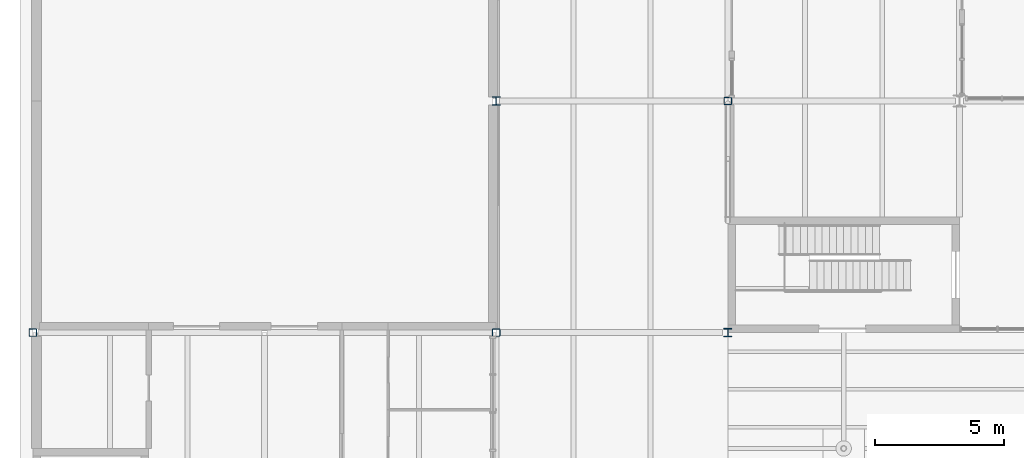
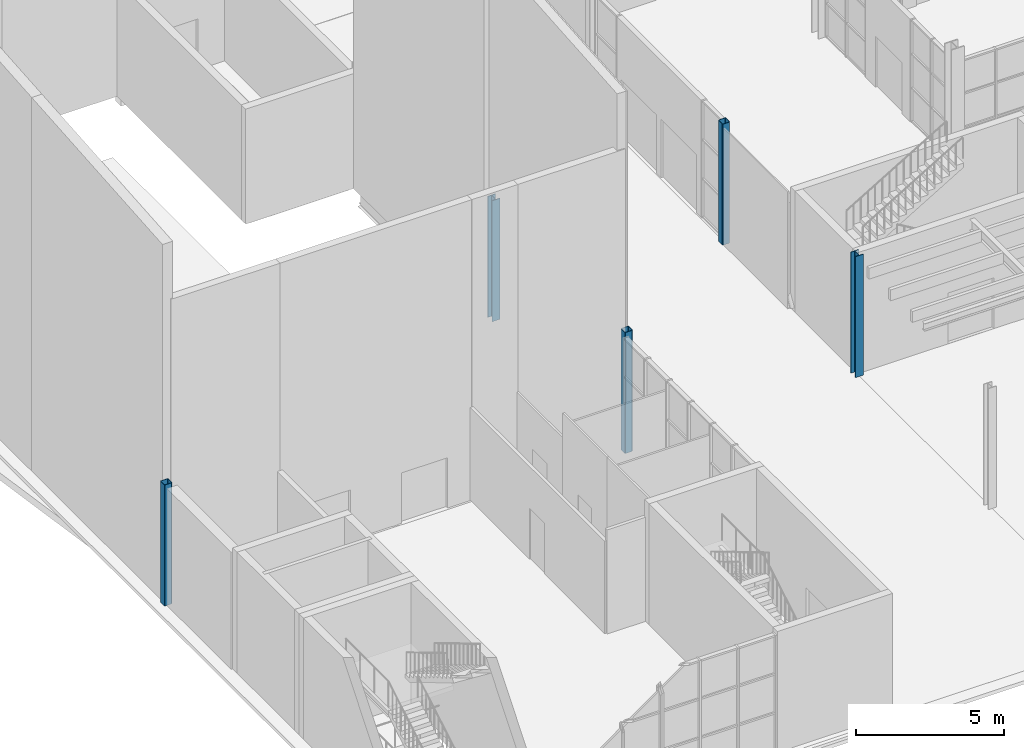
# One storey, part 3 of 63: 5 columns.
"""IFC4 building model written with IfcOpenShell, lengths in metres."""

import ifcopenshell
import ifcopenshell.guid

model = None  # the IFC model being written
_history = None  # IfcOwnerHistory: only IFC2X3 demands one
_inside = {}  # id of a spatial element -> (the spatial element, [elements in it])
_under = {}  # id of a project, library or spatial element -> (it, [spatial elements below it])
_declared = {}  # id of a project -> (the project, [libraries it declares])
_typed = {}  # id of a type object -> (the type object, [elements of that type])
_made_of = {}  # id of a material, layer set ... -> (it, [elements and type objects made of it])


def new_model(schema):
    """Start an empty IFC model of exactly this schema.

    Asked for "IFC4X3", IfcOpenShell would pick the latest addendum, in which some entities
    have other attributes; the version numbers below select the first issue.
    IFC2X3 requires an IfcOwnerHistory on every rooted entity: one is made here for all.
    """
    global model, _history
    if schema == "IFC4X3":
        model = ifcopenshell.file(schema_version=(4, 3, 0, 0))
    else:
        model = ifcopenshell.file(schema=schema)
    _inside.clear()
    _under.clear()
    _declared.clear()
    _typed.clear()
    _made_of.clear()
    _history = None
    if model.schema == "IFC2X3":
        org = make("IfcOrganization", Name="unknown")
        user = make(
            "IfcPersonAndOrganization",
            ThePerson=make("IfcPerson", FamilyName="unknown"),
            TheOrganization=org,
        )
        app = make(
            "IfcApplication",
            ApplicationDeveloper=org,
            Version="unknown",
            ApplicationFullName="unknown",
            ApplicationIdentifier="unknown",
        )
        _history = make(
            "IfcOwnerHistory",
            OwningUser=user,
            OwningApplication=app,
            ChangeAction="ADDED",
            CreationDate=0,
        )
    return model


def make(cls, **values):
    """One entity of the class cls with the attributes given. An attribute that is None is left unset."""
    return model.create_entity(
        cls, **{name: value for name, value in values.items() if value is not None}
    )


def rooted(cls, **values):
    """An entity with a GlobalId (a new one), such as an element, a storey or a relation."""
    return make(cls, GlobalId=ifcopenshell.guid.new(), OwnerHistory=_history, **values)


def si_unit(unit_type, name, prefix=None):
    """IfcSIUnit, for example si_unit("LENGTHUNIT", "METRE", prefix="MILLI")."""
    return make("IfcSIUnit", UnitType=unit_type, Prefix=prefix, Name=name)


def assignment(units):
    """IfcUnitAssignment: the units of a project."""
    return None if units is None else make("IfcUnitAssignment", Units=units)


def point(xyz):
    """IfcCartesianPoint."""
    return None if xyz is None else make("IfcCartesianPoint", Coordinates=xyz)


def direction(xyz):
    """IfcDirection."""
    return None if xyz is None else make("IfcDirection", DirectionRatios=xyz)


def frame(location, z_axis=None, x_axis=None):
    """IfcAxis2Placement3D, a coordinate frame: its origin and axes. An axis left out is left unset."""
    return make(
        "IfcAxis2Placement3D",
        Location=point(location),
        Axis=direction(z_axis),
        RefDirection=direction(x_axis),
    )


def frame_2d(location, x_axis=None):
    """IfcAxis2Placement2D, a coordinate frame in the plane: its origin and x axis."""
    return make(
        "IfcAxis2Placement2D", Location=point(location), RefDirection=direction(x_axis)
    )


def origin():
    """The frame at (0, 0, 0) with its axes left unset."""
    return frame((0.0, 0.0, 0.0))


def origin_2d():
    """The frame at (0, 0) in the plane with its x axis left unset."""
    return frame_2d((0.0, 0.0))


def place(relative_to, where):
    """IfcLocalPlacement: puts the frame where relative to a parent placement (None: the world)."""
    return make(
        "IfcLocalPlacement", PlacementRelTo=relative_to, RelativePlacement=where
    )


def context(
    kind, dimensions, precision=None, world=None, true_north=None, identifier=None
):
    """IfcGeometricRepresentationContext, for example the 3D "Model" context."""
    return make(
        "IfcGeometricRepresentationContext",
        ContextIdentifier=identifier,
        ContextType=kind,
        CoordinateSpaceDimension=dimensions,
        Precision=precision,
        WorldCoordinateSystem=world,
        TrueNorth=true_north,
    )


def subcontext(parent, identifier, kind, view, scale=None):
    """IfcGeometricRepresentationSubContext, for example "Body" below "Model"."""
    return make(
        "IfcGeometricRepresentationSubContext",
        ContextIdentifier=identifier,
        ContextType=kind,
        ParentContext=parent,
        TargetScale=scale,
        TargetView=view,
    )


def project(units=None, contexts=None):
    """IfcProject with its units and contexts."""
    return rooted(
        "IfcProject",
        Name="project",
        RepresentationContexts=contexts,
        UnitsInContext=assignment(units),
    )


def spatial(cls, under=None, at=None, **own):
    """A site, building, storey or space (cls), placed at a placement, below another one or the project."""
    s = rooted(cls, ObjectPlacement=at, **own)
    if under is not None:
        _under.setdefault(under.id(), (under, []))[1].append(s)
    return s


def profile(cls, at=None, kind="AREA", **sizes):
    """A parametric profile (cls). Its sizes go by their IFC names, for example OverallWidth=200.0."""
    return make(cls, ProfileType=kind, Position=at, **sizes)


def hollow_rectangle(**sizes):
    """IfcRectangleHollowProfileDef."""
    return profile("IfcRectangleHollowProfileDef", **sizes)


def i_section(**sizes):
    """IfcIShapeProfileDef."""
    return profile("IfcIShapeProfileDef", **sizes)


def extrude(swept, where, along, depth):
    """IfcExtrudedAreaSolid: the profile swept, set in the frame where, extruded along a direction by depth."""
    return make(
        "IfcExtrudedAreaSolid",
        SweptArea=swept,
        Position=where,
        ExtrudedDirection=direction(along),
        Depth=depth,
    )


def shape(context_of_items, identifier, shape_type, items):
    """IfcShapeRepresentation: the items that make up one representation, for example the "Body"."""
    return make(
        "IfcShapeRepresentation",
        ContextOfItems=context_of_items,
        RepresentationIdentifier=identifier,
        RepresentationType=shape_type,
        Items=items,
    )


def material(Name=None, Category=None):
    """IfcMaterial."""
    return make("IfcMaterial", Name=Name, Category=Category)


def material_profile(
    of_material, cross_section, Name=None, Category=None, Priority=None
):
    """IfcMaterialProfile: a cross section and its material."""
    return make(
        "IfcMaterialProfile",
        Name=Name,
        Material=of_material,
        Profile=cross_section,
        Priority=Priority,
        Category=Category,
    )


def profile_set(profiles, Name=None, composite=None):
    """IfcMaterialProfileSet."""
    return make(
        "IfcMaterialProfileSet",
        Name=Name,
        MaterialProfiles=profiles,
        CompositeProfile=composite,
    )


def made_of(thing, what):
    """Note that an element or type object is made of a material, layer set ...; save() writes the relation."""
    if what is not None:
        _made_of.setdefault(what.id(), (what, []))[1].append(thing)
    return thing


def type_object(cls, material=None, **own):
    """A type object (cls), such as IfcWallType, which elements share."""
    return made_of(rooted(cls, **own), material)


def element(
    cls,
    number,
    at=None,
    inside=None,
    cuts=None,
    type_object=None,
    material=None,
    context=None,
    identifier="Body",
    shape_type=None,
    held_by="IfcProductDefinitionShape",
    body=None,
    shapes=None,
    **own,
):
    """One element of the class cls, such as IfcWall. Its Tag is "e" and its number.

    at: its placement. inside: the storey or other place that contains it. cuts: it is an
    opening in that element (IfcRelVoidsElement). A single representation is given by context,
    identifier, shape_type and body (its items); several are given by shapes. held_by: the class
    of the entity that holds the representations. save() writes the other relations.
    """
    e = rooted(cls, Tag="e%d" % number, ObjectPlacement=at, **own)
    if body is not None:
        shapes = [shape(context, identifier, shape_type, body)]
    if shapes is not None:
        e.Representation = make(held_by, Representations=shapes)
    if inside is not None:
        _inside.setdefault(inside.id(), (inside, []))[1].append(e)
    if cuts is not None:
        rooted(
            "IfcRelVoidsElement", RelatingBuildingElement=cuts, RelatedOpeningElement=e
        )
    if type_object is not None:
        _typed.setdefault(type_object.id(), (type_object, []))[1].append(e)
    return made_of(e, material)


def aggregate(whole, parts):
    """IfcRelAggregates: a whole, such as a stair, and the parts it consists of."""
    return rooted("IfcRelAggregates", RelatingObject=whole, RelatedObjects=parts)


def save(model, path):
    """Write the relations noted so far, then the file.

    IfcRelAggregates (storeys below a building ...), IfcRelContainedInSpatialStructure (elements
    in a storey), IfcRelDefinesByType, IfcRelAssociatesMaterial and IfcRelDeclares: one each for
    every whole, place, type object, material and project.
    """
    for whole, parts in _under.values():
        aggregate(whole, parts)
    for where, things in _inside.values():
        rooted(
            "IfcRelContainedInSpatialStructure",
            RelatedElements=things,
            RelatingStructure=where,
        )
    for kind, things in _typed.values():
        rooted("IfcRelDefinesByType", RelatedObjects=things, RelatingType=kind)
    for what, things in _made_of.values():
        rooted("IfcRelAssociatesMaterial", RelatedObjects=things, RelatingMaterial=what)
    for by, libraries in _declared.values():
        rooted("IfcRelDeclares", RelatingContext=by, RelatedDefinitions=libraries)
    model.write(path)


model = new_model("IFC4")

# Units and contexts
model_context = context("Model", 3, precision=1e-05, world=origin(), true_north=direction((0.0, 1.0)))
body_context = subcontext(model_context, "Body", "Model", "MODEL_VIEW")
ifc_project = project(units=[si_unit("LENGTHUNIT", "METRE"), si_unit("AREAUNIT", "SQUARE_METRE"), si_unit("VOLUMEUNIT", "CUBIC_METRE"), si_unit("PLANEANGLEUNIT", "RADIAN"), si_unit("MASSUNIT", "GRAM", prefix="KILO")], contexts=[model_context])

# Site, building, storey
site_placement = place(None, origin())
site = spatial("IfcSite", under=ifc_project, at=site_placement, CompositionType="ELEMENT")
building_placement = place(site_placement, origin())
building = spatial("IfcBuilding", under=site, at=building_placement, Name="Halyard Row Museum", CompositionType="ELEMENT")
storey_placement = place(building_placement, origin())
storey = spatial("IfcBuildingStorey", under=building, at=storey_placement, Name="L00", CompositionType="ELEMENT", Elevation=0.0)

# Columns
ifc_material_1 = material(Name="Steel Grade C350L0", Category="steel")
ifc_material_profile_1 = material_profile(ifc_material_1, hollow_rectangle(XDim=0.300048828125, YDim=0.300048828125, WallThickness=0.01611328125, InnerFilletRadius=0.02392578125, OuterFilletRadius=0.0400390625, at=origin_2d()), Name="300x300x16.0SHS")
ifc_profile_set_1 = profile_set([ifc_material_profile_1], Name="Steel Grade C350L0")
column_type_1 = type_object("IfcColumnType", Name="Column 300x300x16.0SHS edge", PredefinedType="COLUMN", material=ifc_profile_set_1)
for number, where, z_axis, x_axis, name in (
    (1, (0.0, 18.0, 0.0), (0.0, 0.0, 1.0), (1.0, 0.0, 0.0), "Column 1C L00"),
    (2, (18.0, 18.0, 0.0), (0.0, 0.0, 1.0), (1.0, 0.0, 0.0), "Column 3C L00"),
    (3, (27.0, 27.0, 0.0), (0.0, 0.0, 1.0), (1.0, 0.0, 0.0), "Column 4D L00"),
):
    element("IfcColumn", number, at=place(storey_placement, frame(where, z_axis=z_axis, x_axis=x_axis)), inside=storey, type_object=column_type_1, Name=name, PredefinedType="COLUMN", context=body_context, shape_type="SweptSolid", body=[
        extrude(hollow_rectangle(XDim=0.300048828125, YDim=0.300048828125, WallThickness=0.01611328125, InnerFilletRadius=0.02392578125, OuterFilletRadius=0.0400390625, at=origin_2d()), origin(), (0.0, 0.0, 1.0), 5.0),
    ])
ifc_material_2 = material(Name="Steel Grade 300", Category="steel")
ifc_material_profile_2 = material_profile(ifc_material_2, i_section(OverallWidth=0.31103515625, OverallDepth=0.3271484375, WebThickness=0.015625, FlangeThickness=0.02490234375, FilletRadius=0.0166015625, at=origin_2d()), Name="310UC158")
ifc_profile_set_2 = profile_set([ifc_material_profile_2], Name="Steel Grade 300")
column_type_2 = type_object("IfcColumnType", Name="Hall frame column 310UC158", PredefinedType="COLUMN", material=ifc_profile_set_2)
column_1_placement = place(storey_placement, frame((18.0, 27.0, 0.0), z_axis=(0.0, 0.0, 1.0), x_axis=(1.0, 0.0, 0.0)))
element("IfcColumn", 4, at=column_1_placement, inside=storey, type_object=column_type_2, Name="Hall frame column L00 y 27", PredefinedType="COLUMN", context=body_context, shape_type="SweptSolid", body=[
    extrude(i_section(OverallWidth=0.31103515625, OverallDepth=0.3271484375, WebThickness=0.015625, FlangeThickness=0.02490234375, FilletRadius=0.0166015625, at=origin_2d()), origin(), (0.0, 0.0, 1.0), 5.0),
])
ifc_material_3 = material(Name="Steel Grade 300", Category="steel")
ifc_material_profile_3 = material_profile(ifc_material_3, i_section(OverallWidth=0.31103515625, OverallDepth=0.3271484375, WebThickness=0.015625, FlangeThickness=0.02490234375, FilletRadius=0.0166015625, at=origin_2d()), Name="310UC158")
ifc_profile_set_3 = profile_set([ifc_material_profile_3], Name="Steel Grade 300")
column_type_3 = type_object("IfcColumnType", Name="Passage column 310UC158", PredefinedType="COLUMN", material=ifc_profile_set_3)
column_2_placement = place(storey_placement, frame((27.0, 18.0, 0.0), z_axis=(0.0, 0.0, 1.0), x_axis=(1.0, 0.0, 0.0)))
element("IfcColumn", 5, at=column_2_placement, inside=storey, type_object=column_type_3, Name="Passage column L00 y 18", PredefinedType="COLUMN", context=body_context, shape_type="SweptSolid", body=[
    extrude(i_section(OverallWidth=0.31103515625, OverallDepth=0.3271484375, WebThickness=0.015625, FlangeThickness=0.02490234375, FilletRadius=0.0166015625, at=origin_2d()), origin(), (0.0, 0.0, 1.0), 5.0),
])

save(model, "model.ifc")
